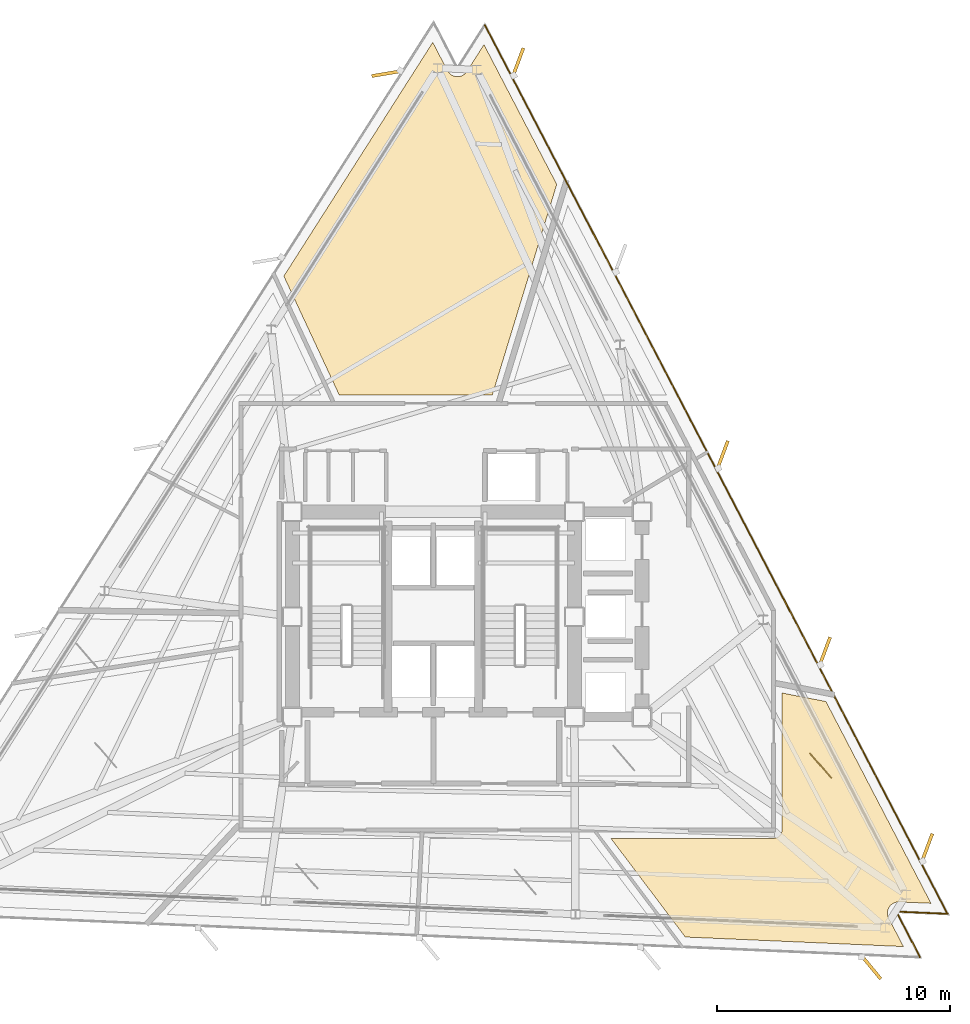
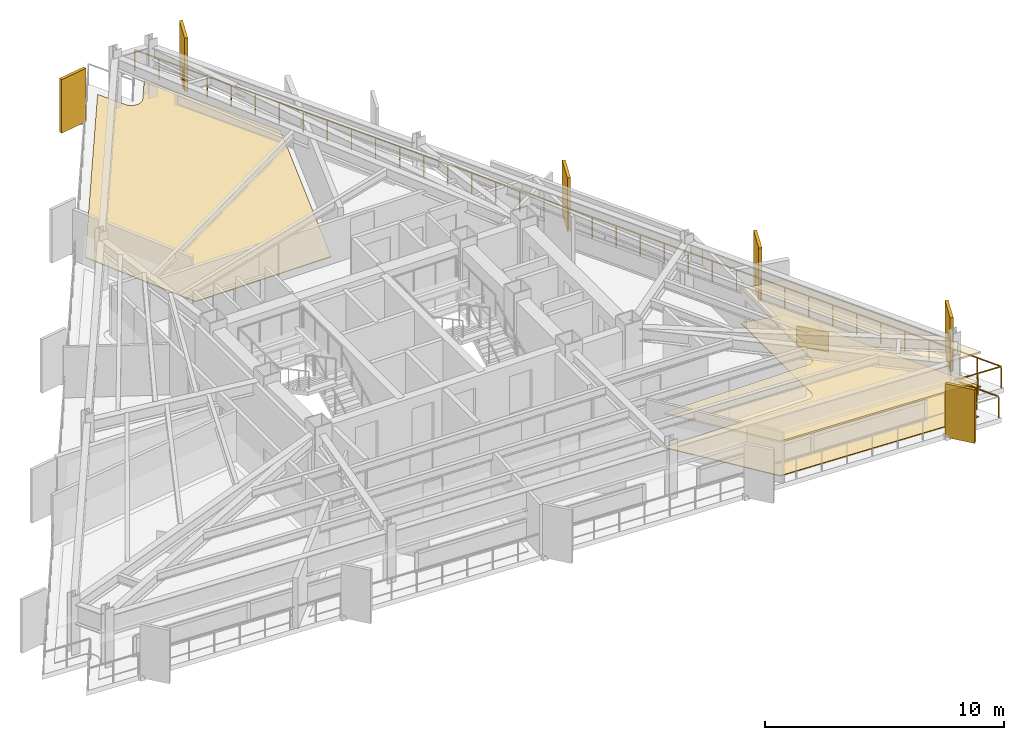
# One storey, part 12 of 12: 6 shading devices, 4 coverings, 1 railing.
"""IFC4 building model written with IfcOpenShell, lengths in metres."""

from ifc_helpers import new_model, si_unit, direction, frame, origin, origin_2d, place, context, subcontext, project, spatial, polyline, rectangle, outline, extrude, material, layer, layer_set, type_object, element, save


model = new_model("IFC4")

# Units and contexts
model_context = context("Model", 3, precision=1e-05, world=origin(), true_north=direction((0.0, 1.0)))
body_context = subcontext(model_context, "Body", "Model", "MODEL_VIEW")
ifc_project = project(units=[si_unit("LENGTHUNIT", "METRE"), si_unit("AREAUNIT", "SQUARE_METRE"), si_unit("VOLUMEUNIT", "CUBIC_METRE"), si_unit("PLANEANGLEUNIT", "RADIAN"), si_unit("MASSUNIT", "GRAM", prefix="KILO")], contexts=[model_context])

# Site, building, storey
site_placement = place(None, origin())
site = spatial("IfcSite", under=ifc_project, at=site_placement, CompositionType="ELEMENT")
building_placement = place(site_placement, origin())
building = spatial("IfcBuilding", under=site, at=building_placement, Name="Rocaltana Carrier Exchange", CompositionType="ELEMENT")
storey_placement = place(building_placement, frame((0.0, 0.0, 144.159912109375)))
storey = spatial("IfcBuildingStorey", under=building, at=storey_placement, Name="L45", CompositionType="ELEMENT", Elevation=144.159912109375)

# Coverings
ifc_material_1 = material(Name="Honed Bogota Sandstone Tile", Category="masonry")
ifc_layer_1 = layer(ifc_material_1, 0.0400390625)
ifc_layer_set_1 = layer_set([ifc_layer_1], Name="Honed Bogota Sandstone Tile")
covering_type_1 = type_object("IfcCoveringType", Name="Honed Stone Lobby Flooring 40", PredefinedType="FLOORING", material=ifc_layer_set_1)
covering_1_placement = place(storey_placement, origin())
element("IfcCovering", 1, at=covering_1_placement, inside=storey, type_object=covering_type_1, Name="L45 Optical Switching Laboratory Finish Floor", PredefinedType="FLOORING", context=body_context, shape_type="SweptSolid", body=[
    extrude(outline(polyline([(21.352294921875, -12.298828125), (19.985107421875, -12.239013671875), (19.97119140625, -12.23876953125), (19.951171875, -12.239013671875), (19.92333984375, -12.240478515625), (19.903564453125, -12.24267578125), (19.8759765625, -12.246826171875), (19.8564453125, -12.2509765625), (19.829345703125, -12.258056640625), (19.810302734375, -12.263916015625), (19.7841796875, -12.273681640625), (19.765869140625, -12.281494140625), (19.740966796875, -12.2939453125), (19.723388671875, -12.303466796875), (19.69970703125, -12.318115234375), (19.683349609375, -12.32958984375), (19.6611328125, -12.3466796875), (19.64599609375, -12.359619140625), (19.62548828125, -12.378662109375), (19.61181640625, -12.392822265625), (19.593505859375, -12.4140625), (19.5810546875, -12.4296875), (19.56494140625, -12.452392578125), (19.55419921875, -12.46923828125), (19.540283203125, -12.493408203125), (19.531494140625, -12.51123046875), (19.52001953125, -12.536865234375), (19.512939453125, -12.555419921875), (19.504150390625, -12.581787109375), (19.498779296875, -12.601318359375), (19.492919921875, -12.62841796875), (19.489501953125, -12.648193359375), (19.486328125, -12.67578125), (19.48486328125, -12.69580078125), (19.484375, -12.7236328125), (19.485107421875, -12.743408203125), (19.4873046875, -12.771240234375), (19.489990234375, -12.791015625), (19.494873046875, -12.818603515625), (19.49951171875, -12.837890625), (19.507080078125, -12.86474609375), (19.513671875, -12.8837890625), (19.52392578125, -12.90966796875), (19.5322265625, -12.927734375), (19.538330078125, -12.940185546875), (20.17041015625, -14.154296875), (10.80859375, -13.74560546875), (7.6171875, -9.510009765625), (14.60009765625, -9.510009765625), (14.61376953125, -9.509765625), (14.62158203125, -9.50927734375), (14.64892578125, -9.506591796875), (14.65673828125, -9.50537109375), (14.68359375, -9.5), (14.69140625, -9.498291015625), (14.717529296875, -9.490234375), (14.724853515625, -9.487548828125), (14.750244140625, -9.47705078125), (14.75732421875, -9.4736328125), (14.78173828125, -9.460693359375), (14.788330078125, -9.456787109375), (14.811279296875, -9.44140625), (14.8173828125, -9.436767578125), (14.8388671875, -9.419189453125), (14.844482421875, -9.4140625), (14.864013671875, -9.39453125), (14.869384765625, -9.388916015625), (14.88671875, -9.367431640625), (14.891357421875, -9.361083984375), (14.90673828125, -9.33837890625), (14.91064453125, -9.331787109375), (14.923583984375, -9.307373046875), (14.927001953125, -9.30029296875), (14.9375, -9.27490234375), (14.940185546875, -9.267578125), (14.9482421875, -9.2412109375), (14.9501953125, -9.233642578125), (14.955322265625, -9.206787109375), (14.95654296875, -9.198974609375), (14.959228515625, -9.171630859375), (14.959716796875, -9.163818359375), (14.9599609375, -9.14990234375), (14.9599609375, -3.274658203125), (16.845703125, -3.64111328125), (21.352294921875, -12.298828125)])), origin(), (0.0, 0.0, 1.0), 0.0400390625),
])
covering_2_placement = place(storey_placement, origin())
element("IfcCovering", 2, at=covering_2_placement, inside=storey, type_object=covering_type_1, Name="L45 Client Reception Foyer Finish Floor", PredefinedType="FLOORING", context=body_context, shape_type="SweptSolid", body=[
    extrude(outline(polyline([(-0.025146484375, 24.64111328125), (0.606689453125, 23.42724609375), (0.613525390625, 23.4150390625), (0.62353515625, 23.397705078125), (0.638916015625, 23.37451171875), (0.650634765625, 23.3583984375), (0.668212890625, 23.336669921875), (0.681396484375, 23.32177734375), (0.700927734375, 23.3017578125), (0.7158203125, 23.288330078125), (0.7373046875, 23.2705078125), (0.753173828125, 23.258544921875), (0.7763671875, 23.242919921875), (0.79345703125, 23.232666015625), (0.818115234375, 23.219482421875), (0.8359375, 23.2109375), (0.86181640625, 23.2001953125), (0.880615234375, 23.193603515625), (0.9072265625, 23.185546875), (0.9267578125, 23.180908203125), (0.9541015625, 23.17529296875), (0.973876953125, 23.172607421875), (1.001708984375, 23.169921875), (1.021484375, 23.169189453125), (1.04931640625, 23.169189453125), (1.0693359375, 23.17041015625), (1.09716796875, 23.17333984375), (1.11669921875, 23.176513671875), (1.14404296875, 23.18212890625), (1.163330078125, 23.18701171875), (1.18994140625, 23.195556640625), (1.208740234375, 23.202392578125), (1.234375, 23.21337890625), (1.252197265625, 23.22216796875), (1.276611328125, 23.235595703125), (1.293701171875, 23.24609375), (1.316650390625, 23.26220703125), (1.33251953125, 23.2744140625), (1.353759765625, 23.292236328125), (1.368408203125, 23.305908203125), (1.3876953125, 23.326171875), (1.400634765625, 23.341064453125), (1.41796875, 23.363037109375), (1.429443359375, 23.37939453125), (1.437255859375, 23.390869140625), (2.172607421875, 24.545166015625), (5.29443359375, 18.548583984375), (2.531005859375, 9.510009765625), (-4.037353515625, 9.510009765625), (-6.41552734375, 14.610107421875), (-0.025146484375, 24.64111328125)])), origin(), (0.0, 0.0, 1.0), 0.0400390625),
])
ifc_material_2 = material(Name="Anodised Aluminium 6063-T6", Category="aluminium")
ifc_layer_2 = layer(ifc_material_2, 0.0849609375)
ifc_layer_set_2 = layer_set([ifc_layer_2], Name="Anodised Aluminium 6063-T6")
covering_type_2 = type_object("IfcCoveringType", Name="Linear Baffle Acoustic Ceiling 85", PredefinedType="CEILING", material=ifc_layer_set_2)
covering_3_placement = place(storey_placement, frame((0.0, 0.0, 1.72314453125)))
element("IfcCovering", 3, at=covering_3_placement, inside=storey, type_object=covering_type_2, Name="L45 Optical Switching Laboratory Acoustic Ceiling", PredefinedType="CEILING", context=body_context, shape_type="SweptSolid", body=[
    extrude(outline(polyline([(21.352294921875, -12.298828125), (19.985107421875, -12.239013671875), (19.97119140625, -12.23876953125), (19.951171875, -12.239013671875), (19.92333984375, -12.240478515625), (19.903564453125, -12.24267578125), (19.8759765625, -12.246826171875), (19.8564453125, -12.2509765625), (19.829345703125, -12.258056640625), (19.810302734375, -12.263916015625), (19.7841796875, -12.273681640625), (19.765869140625, -12.281494140625), (19.740966796875, -12.2939453125), (19.723388671875, -12.303466796875), (19.69970703125, -12.318115234375), (19.683349609375, -12.32958984375), (19.6611328125, -12.3466796875), (19.64599609375, -12.359619140625), (19.62548828125, -12.378662109375), (19.61181640625, -12.392822265625), (19.593505859375, -12.4140625), (19.5810546875, -12.4296875), (19.56494140625, -12.452392578125), (19.55419921875, -12.46923828125), (19.540283203125, -12.493408203125), (19.531494140625, -12.51123046875), (19.52001953125, -12.536865234375), (19.512939453125, -12.555419921875), (19.504150390625, -12.581787109375), (19.498779296875, -12.601318359375), (19.492919921875, -12.62841796875), (19.489501953125, -12.648193359375), (19.486328125, -12.67578125), (19.48486328125, -12.69580078125), (19.484375, -12.7236328125), (19.485107421875, -12.743408203125), (19.4873046875, -12.771240234375), (19.489990234375, -12.791015625), (19.494873046875, -12.818603515625), (19.49951171875, -12.837890625), (19.507080078125, -12.86474609375), (19.513671875, -12.8837890625), (19.52392578125, -12.90966796875), (19.5322265625, -12.927734375), (19.538330078125, -12.940185546875), (20.17041015625, -14.154296875), (10.80859375, -13.74560546875), (7.6171875, -9.510009765625), (14.60009765625, -9.510009765625), (14.61376953125, -9.509765625), (14.62158203125, -9.50927734375), (14.64892578125, -9.506591796875), (14.65673828125, -9.50537109375), (14.68359375, -9.5), (14.69140625, -9.498291015625), (14.717529296875, -9.490234375), (14.724853515625, -9.487548828125), (14.750244140625, -9.47705078125), (14.75732421875, -9.4736328125), (14.78173828125, -9.460693359375), (14.788330078125, -9.456787109375), (14.811279296875, -9.44140625), (14.8173828125, -9.436767578125), (14.8388671875, -9.419189453125), (14.844482421875, -9.4140625), (14.864013671875, -9.39453125), (14.869384765625, -9.388916015625), (14.88671875, -9.367431640625), (14.891357421875, -9.361083984375), (14.90673828125, -9.33837890625), (14.91064453125, -9.331787109375), (14.923583984375, -9.307373046875), (14.927001953125, -9.30029296875), (14.9375, -9.27490234375), (14.940185546875, -9.267578125), (14.9482421875, -9.2412109375), (14.9501953125, -9.233642578125), (14.955322265625, -9.206787109375), (14.95654296875, -9.198974609375), (14.959228515625, -9.171630859375), (14.959716796875, -9.163818359375), (14.9599609375, -9.14990234375), (14.9599609375, -3.274658203125), (16.845703125, -3.64111328125), (21.352294921875, -12.298828125)])), origin(), (0.0, 0.0, 1.0), 0.0849609375),
])
ifc_material_3 = material(Name="Honed Piedra Muneca Sandstone", Category="masonry")
ifc_layer_3 = layer(ifc_material_3, 0.034912109375)
ifc_layer_set_3 = layer_set([ifc_layer_3], Name="Honed Piedra Muneca Sandstone")
covering_type_3 = type_object("IfcCoveringType", Name="Stone Facade Cladding 35", PredefinedType="CLADDING", material=ifc_layer_set_3)
covering_4_placement = place(storey_placement, frame((16.61962890625, -6.3955078125, 0.0), z_axis=(0.0, 0.0, 1.0), x_axis=(-0.656059028991, 0.754709580223, 0.0)))
element("IfcCovering", 4, at=covering_4_placement, inside=storey, type_object=covering_type_3, Name="L45 Stone Facade Cladding Panel 6", PredefinedType="CLADDING", context=body_context, shape_type="SweptSolid", body=[
    extrude(rectangle(XDim=1.39990234375, YDim=0.034912109375, at=origin_2d()), origin(), (0.0, 0.0, 1.0), 1.050048828125),
])

# Shading devices
ifc_material_4 = material(Name="Honed Bogota Sandstone & Concrete C45/55", Category="masonry")
ifc_layer_4 = layer(ifc_material_4, 0.139892578125)
ifc_layer_set_4 = layer_set([ifc_layer_4], Name="Honed Bogota Sandstone & Concrete C45/55")
shading_device_type = type_object("IfcShadingDeviceType", Name="Vertical Sandstone Shading Fin 1320x140", PredefinedType="USERDEFINED", material=ifc_layer_set_4)
for number, where, z_axis, x_axis, name in (
    (5, (21.1787109375, -9.927490234375, -0.1201171875), (0.0, 0.0, 1.0), (0.350207381259, 0.936672189248, 0.0), "L45 Sandstone Vertical Fin F1-01"),
    (6, (16.7919921875, -1.5009765625, -0.1201171875), (0.0, 0.0, 1.0), (0.350207381259, 0.936672189248, 0.0), "L45 Sandstone Vertical Fin F1-02"),
    (7, (12.405517578125, 6.925537109375, -0.1201171875), (0.0, 0.0, 1.0), (0.350207381259, 0.936672189248, 0.0), "L45 Sandstone Vertical Fin F1-03"),
    (8, (3.63232421875, 23.77880859375, -0.1201171875), (0.0, 0.0, 1.0), (0.350207381259, 0.936672189248, 0.0), "L45 Sandstone Vertical Fin F1-05"),
    (9, (-1.99169921875, 23.30517578125, -0.1201171875), (0.0, 0.0, 1.0), (-0.986285601537, -0.165047605861, 0.0), "L45 Sandstone Vertical Fin F2-01"),
    (10, (18.77685546875, -15.034912109375, -0.1201171875), (0.0, 0.0, 1.0), (0.636078220278, -0.771624583388, 0.0), "L45 Sandstone Vertical Fin F3-05"),
):
    element("IfcShadingDevice", number, at=place(storey_placement, frame(where, z_axis=z_axis, x_axis=x_axis)), inside=storey, type_object=shading_device_type, Name=name, ObjectType="FIN", PredefinedType="USERDEFINED", context=body_context, shape_type="SweptSolid", body=[
        extrude(rectangle(XDim=1.320068359375, YDim=0.139892578125, at=origin_2d()), origin(), (0.0, 0.0, 1.0), 2.738037109375),
    ])

# Railing
ifc_material_5 = material(Name="Powder-Coated Aluminium 6063-T6", Category="aluminium")
ifc_layer_5 = layer(ifc_material_5, 0.06005859375)
ifc_layer_set_5 = layer_set([ifc_layer_5], Name="Powder-Coated Aluminium 6063-T6")
railing_type = type_object("IfcRailingType", Name="Wind-Floor & Terrace Perimeter Guardrail 1100", PredefinedType="GUARDRAIL", material=ifc_layer_set_5)
railing_placement = place(storey_placement, frame((2.20947265625, 25.384521484375, 0.0)))
element("IfcRailing", 11, at=railing_placement, inside=storey, type_object=railing_type, Name="L45 Perimeter Balcony Guardrail 3", PredefinedType="GUARDRAIL", context=body_context, shape_type="SweptSolid", body=[
    extrude(rectangle(XDim=0.048095703125, YDim=0.048095703125, at=origin_2d()), frame((0.0, 0.0, 1.076171875), z_axis=(0.461743909672, -0.887013281682, 0.0), x_axis=(0.887013281682, 0.461743909672, 0.0)), (0.0, 0.0, 1.0), 42.991943359375),
    extrude(rectangle(XDim=0.048095703125, YDim=0.048095703125, at=origin_2d()), frame((19.851318359375, -38.134521484375, 1.076171875), z_axis=(-0.999048394753, 0.043615420922, 0.0), x_axis=(-0.043615420922, -0.999048394753, 0.0)), (0.0, 0.0, 1.0), 2.199951171875),
    extrude(rectangle(XDim=0.048095703125, YDim=0.048095703125, at=origin_2d()), frame((17.653564453125, -38.03857421875, 1.076171875), z_axis=(0.461758004933, -0.887005944107, 0.0), x_axis=(0.887005944107, 0.461758004933, 0.0)), (0.0, 0.0, 1.0), 2.199951171875),
    extrude(rectangle(XDim=0.0419921875, YDim=0.0419921875, at=origin_2d()), origin(), (0.0, 0.0, 1.0), 1.052001953125),
    extrude(rectangle(XDim=0.0419921875, YDim=0.0419921875, at=origin_2d()), frame((0.551513671875, -1.059326171875, 0.0)), (0.0, 0.0, 1.0), 1.052001953125),
    extrude(rectangle(XDim=0.0419921875, YDim=0.0419921875, at=origin_2d()), frame((1.102783203125, -2.11865234375, 0.0)), (0.0, 0.0, 1.0), 1.052001953125),
    extrude(rectangle(XDim=0.0419921875, YDim=0.0419921875, at=origin_2d()), frame((1.654296875, -3.177978515625, 0.0)), (0.0, 0.0, 1.0), 1.052001953125),
    extrude(rectangle(XDim=0.0419921875, YDim=0.0419921875, at=origin_2d()), frame((2.205810546875, -4.237060546875, 0.0)), (0.0, 0.0, 1.0), 1.052001953125),
    extrude(rectangle(XDim=0.0419921875, YDim=0.0419921875, at=origin_2d()), frame((2.757080078125, -5.29638671875, 0.0)), (0.0, 0.0, 1.0), 1.052001953125),
    extrude(rectangle(XDim=0.0419921875, YDim=0.0419921875, at=origin_2d()), frame((3.30859375, -6.355712890625, 0.0)), (0.0, 0.0, 1.0), 1.052001953125),
    extrude(rectangle(XDim=0.0419921875, YDim=0.0419921875, at=origin_2d()), frame((3.85986328125, -7.4150390625, 0.0)), (0.0, 0.0, 1.0), 1.052001953125),
    extrude(rectangle(XDim=0.0419921875, YDim=0.0419921875, at=origin_2d()), frame((4.411376953125, -8.474365234375, 0.0)), (0.0, 0.0, 1.0), 1.052001953125),
    extrude(rectangle(XDim=0.0419921875, YDim=0.0419921875, at=origin_2d()), frame((4.962890625, -9.53369140625, 0.0)), (0.0, 0.0, 1.0), 1.052001953125),
    extrude(rectangle(XDim=0.0419921875, YDim=0.0419921875, at=origin_2d()), frame((5.51416015625, -10.593017578125, 0.0)), (0.0, 0.0, 1.0), 1.052001953125),
    extrude(rectangle(XDim=0.0419921875, YDim=0.0419921875, at=origin_2d()), frame((6.065673828125, -11.652099609375, 0.0)), (0.0, 0.0, 1.0), 1.052001953125),
    extrude(rectangle(XDim=0.0419921875, YDim=0.0419921875, at=origin_2d()), frame((6.6171875, -12.71142578125, 0.0)), (0.0, 0.0, 1.0), 1.052001953125),
    extrude(rectangle(XDim=0.0419921875, YDim=0.0419921875, at=origin_2d()), frame((7.16845703125, -13.770751953125, 0.0)), (0.0, 0.0, 1.0), 1.052001953125),
    extrude(rectangle(XDim=0.0419921875, YDim=0.0419921875, at=origin_2d()), frame((7.719970703125, -14.830078125, 0.0)), (0.0, 0.0, 1.0), 1.052001953125),
    extrude(rectangle(XDim=0.0419921875, YDim=0.0419921875, at=origin_2d()), frame((8.271484375, -15.889404296875, 0.0)), (0.0, 0.0, 1.0), 1.052001953125),
    extrude(rectangle(XDim=0.0419921875, YDim=0.0419921875, at=origin_2d()), frame((8.82275390625, -16.94873046875, 0.0)), (0.0, 0.0, 1.0), 1.052001953125),
    extrude(rectangle(XDim=0.0419921875, YDim=0.0419921875, at=origin_2d()), frame((9.374267578125, -18.008056640625, 0.0)), (0.0, 0.0, 1.0), 1.052001953125),
    extrude(rectangle(XDim=0.0419921875, YDim=0.0419921875, at=origin_2d()), frame((9.92578125, -19.0673828125, 0.0)), (0.0, 0.0, 1.0), 1.052001953125),
    extrude(rectangle(XDim=0.0419921875, YDim=0.0419921875, at=origin_2d()), frame((10.47705078125, -20.12646484375, 0.0)), (0.0, 0.0, 1.0), 1.052001953125),
    extrude(rectangle(XDim=0.0419921875, YDim=0.0419921875, at=origin_2d()), frame((11.028564453125, -21.185791015625, 0.0)), (0.0, 0.0, 1.0), 1.052001953125),
    extrude(rectangle(XDim=0.0419921875, YDim=0.0419921875, at=origin_2d()), frame((11.579833984375, -22.2451171875, 0.0)), (0.0, 0.0, 1.0), 1.052001953125),
    extrude(rectangle(XDim=0.0419921875, YDim=0.0419921875, at=origin_2d()), frame((12.13134765625, -23.304443359375, 0.0)), (0.0, 0.0, 1.0), 1.052001953125),
    extrude(rectangle(XDim=0.0419921875, YDim=0.0419921875, at=origin_2d()), frame((12.682861328125, -24.36376953125, 0.0)), (0.0, 0.0, 1.0), 1.052001953125),
    extrude(rectangle(XDim=0.0419921875, YDim=0.0419921875, at=origin_2d()), frame((13.234130859375, -25.423095703125, 0.0)), (0.0, 0.0, 1.0), 1.052001953125),
    extrude(rectangle(XDim=0.0419921875, YDim=0.0419921875, at=origin_2d()), frame((13.78564453125, -26.482421875, 0.0)), (0.0, 0.0, 1.0), 1.052001953125),
    extrude(rectangle(XDim=0.0419921875, YDim=0.0419921875, at=origin_2d()), frame((14.337158203125, -27.54150390625, 0.0)), (0.0, 0.0, 1.0), 1.052001953125),
    extrude(rectangle(XDim=0.0419921875, YDim=0.0419921875, at=origin_2d()), frame((14.888427734375, -28.600830078125, 0.0)), (0.0, 0.0, 1.0), 1.052001953125),
    extrude(rectangle(XDim=0.0419921875, YDim=0.0419921875, at=origin_2d()), frame((15.43994140625, -29.66015625, 0.0)), (0.0, 0.0, 1.0), 1.052001953125),
    extrude(rectangle(XDim=0.0419921875, YDim=0.0419921875, at=origin_2d()), frame((15.991455078125, -30.719482421875, 0.0)), (0.0, 0.0, 1.0), 1.052001953125),
    extrude(rectangle(XDim=0.0419921875, YDim=0.0419921875, at=origin_2d()), frame((16.542724609375, -31.77880859375, 0.0)), (0.0, 0.0, 1.0), 1.052001953125),
    extrude(rectangle(XDim=0.0419921875, YDim=0.0419921875, at=origin_2d()), frame((17.09423828125, -32.838134765625, 0.0)), (0.0, 0.0, 1.0), 1.052001953125),
    extrude(rectangle(XDim=0.0419921875, YDim=0.0419921875, at=origin_2d()), frame((17.6455078125, -33.8974609375, 0.0)), (0.0, 0.0, 1.0), 1.052001953125),
    extrude(rectangle(XDim=0.0419921875, YDim=0.0419921875, at=origin_2d()), frame((18.197021484375, -34.95654296875, 0.0)), (0.0, 0.0, 1.0), 1.052001953125),
    extrude(rectangle(XDim=0.0419921875, YDim=0.0419921875, at=origin_2d()), frame((18.74853515625, -36.015869140625, 0.0)), (0.0, 0.0, 1.0), 1.052001953125),
    extrude(rectangle(XDim=0.0419921875, YDim=0.0419921875, at=origin_2d()), frame((19.2998046875, -37.0751953125, 0.0)), (0.0, 0.0, 1.0), 1.052001953125),
    extrude(rectangle(XDim=0.0419921875, YDim=0.0419921875, at=origin_2d()), frame((19.851318359375, -38.134521484375, 0.0)), (0.0, 0.0, 1.0), 1.052001953125),
    extrude(rectangle(XDim=0.0419921875, YDim=0.0419921875, at=origin_2d()), frame((18.75244140625, -38.08642578125, 0.0)), (0.0, 0.0, 1.0), 1.052001953125),
    extrude(rectangle(XDim=0.0419921875, YDim=0.0419921875, at=origin_2d()), frame((17.653564453125, -38.03857421875, 0.0)), (0.0, 0.0, 1.0), 1.052001953125),
    extrude(rectangle(XDim=0.0419921875, YDim=0.0419921875, at=origin_2d()), frame((18.16162109375, -39.01416015625, 0.0)), (0.0, 0.0, 1.0), 1.052001953125),
    extrude(rectangle(XDim=0.0419921875, YDim=0.0419921875, at=origin_2d()), frame((18.66943359375, -39.989990234375, 0.0)), (0.0, 0.0, 1.0), 1.052001953125),
])

save(model, "model.ifc")
